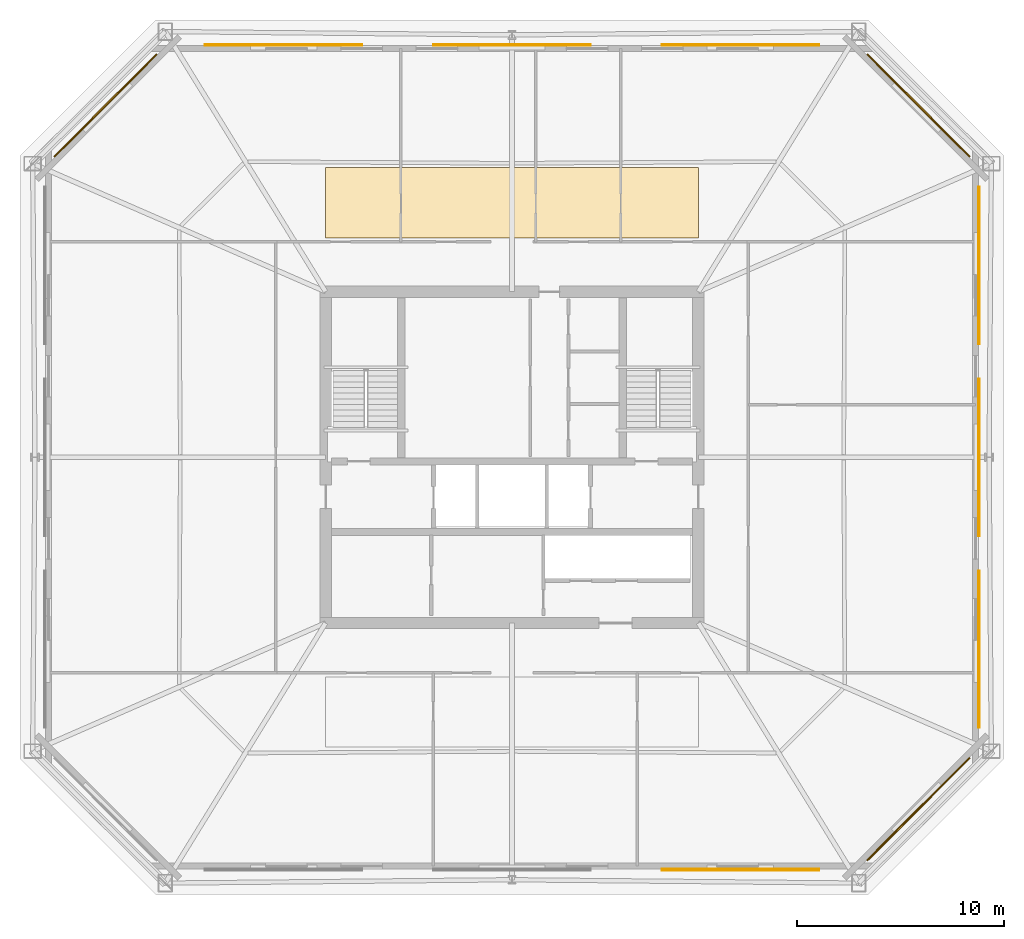
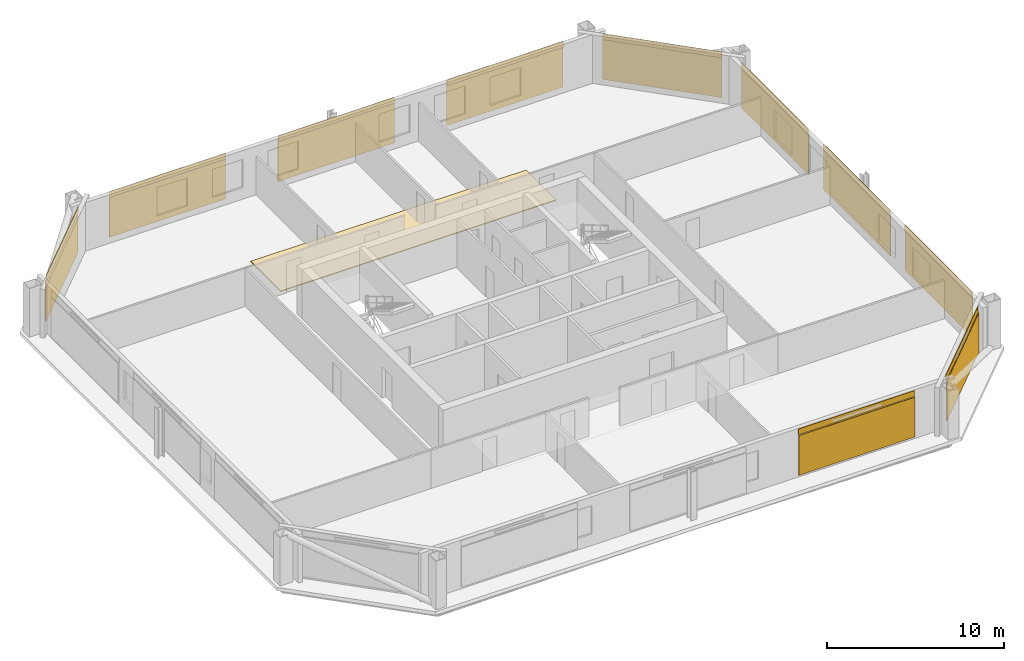
# One storey, part 6 of 6: 11 coverings, 10 shading devices.
"""IFC4 building model written with IfcOpenShell, lengths in metres."""

from ifc_helpers import new_model, si_unit, direction, frame, origin, origin_2d, place, context, subcontext, project, spatial, polyline, rectangle, outline, extrude, material, layer, layer_set, type_object, element, save


model = new_model("IFC4")

# Units and contexts
model_context = context("Model", 3, precision=1e-05, world=origin(), true_north=direction((0.0, 1.0)))
body_context = subcontext(model_context, "Body", "Model", "MODEL_VIEW")
ifc_project = project(units=[si_unit("LENGTHUNIT", "METRE"), si_unit("AREAUNIT", "SQUARE_METRE"), si_unit("VOLUMEUNIT", "CUBIC_METRE"), si_unit("PLANEANGLEUNIT", "RADIAN"), si_unit("MASSUNIT", "GRAM", prefix="KILO")], contexts=[model_context])

# Site, building, storey
site_placement = place(None, origin())
site = spatial("IfcSite", under=ifc_project, at=site_placement, CompositionType="ELEMENT")
building_placement = place(site_placement, origin())
building = spatial("IfcBuilding", under=site, at=building_placement, Name="Caelvoria Tower", CompositionType="ELEMENT")
storey_placement = place(building_placement, frame((0.0, 0.0, 180.60009765625)))
storey = spatial("IfcBuildingStorey", under=building, at=storey_placement, Name="L47", CompositionType="ELEMENT", Elevation=180.60009765625)

# Coverings
ifc_material_1 = material(Name="Perforated Architectural Bronze Cladding Screen", Category="bronze")
ifc_layer_1 = layer(ifc_material_1, 0.0400390625, Name="Perforated Architectural Bronze Cladding Screen")
ifc_layer_set_1 = layer_set([ifc_layer_1], Name="Perforated Bronze Louvre Cladding Band 40 - Perforated Architectural Bronze Cladding Screen")
covering_type_1 = type_object("IfcCoveringType", Name="Perforated Bronze Louvre Cladding Band 40", PredefinedType="CLADDING", material=ifc_layer_set_1)
covering_1_placement = place(storey_placement, frame((57.026611328125, 12.10791015625, 2.93994140625), z_axis=(0.0, 0.0, 1.0), x_axis=(1.0, 0.0, 0.0)))
element("IfcCovering", 1, at=covering_1_placement, inside=storey, type_object=covering_type_1, Name="Perforated Bronze Screen Band L47-E0-02", PredefinedType="CLADDING", context=body_context, shape_type="SweptSolid", body=[
    extrude(rectangle(XDim=7.60009765625, YDim=0.0400390625, at=origin_2d()), origin(), (0.0, 0.0, 1.0), 0.39990234375),
])
covering_2_placement = place(storey_placement, frame((65.61181640625, 15.0283203125, 2.93994140625), z_axis=(0.0, 0.0, 1.0), x_axis=(0.707106781187, 0.707106781187, 0.0)))
element("IfcCovering", 2, at=covering_2_placement, inside=storey, type_object=covering_type_1, Name="Perforated Bronze Screen Band L47-E1-00", PredefinedType="CLADDING", context=body_context, shape_type="SweptSolid", body=[
    extrude(rectangle(XDim=7.00244140625, YDim=0.0400390625, at=origin_2d()), origin(), (0.0, 0.0, 1.0), 0.39990234375),
])
for number, where, z_axis, x_axis, name in (
    (3, (68.531982421875, 22.7333984375, 2.93994140625), (0.0, 0.0, 1.0), (0.0, 1.0, 0.0), "Perforated Bronze Screen Band L47-E2-00"),
    (4, (68.531982421875, 32.0, 2.93994140625), (0.0, 0.0, 1.0), (0.0, 1.0, 0.0), "Perforated Bronze Screen Band L47-E2-01"),
    (5, (68.531982421875, 41.2666015625, 2.93994140625), (0.0, 0.0, 1.0), (0.0, 1.0, 0.0), "Perforated Bronze Screen Band L47-E2-02"),
):
    element("IfcCovering", number, at=place(storey_placement, frame(where, z_axis=z_axis, x_axis=x_axis)), inside=storey, type_object=covering_type_1, Name=name, PredefinedType="CLADDING", context=body_context, shape_type="SweptSolid", body=[
        extrude(rectangle(XDim=7.60009765625, YDim=0.0400390625, at=origin_2d()), origin(), (0.0, 0.0, 1.0), 0.39990234375),
    ])
covering_3_placement = place(storey_placement, frame((65.61181640625, 48.9716796875, 2.93994140625), z_axis=(0.0, 0.0, 1.0), x_axis=(-0.707106781187, 0.707106781187, 0.0)))
element("IfcCovering", 6, at=covering_3_placement, inside=storey, type_object=covering_type_1, Name="Perforated Bronze Screen Band L47-E3-00", PredefinedType="CLADDING", context=body_context, shape_type="SweptSolid", body=[
    extrude(rectangle(XDim=7.00244140625, YDim=0.0400390625, at=origin_2d()), origin(), (0.0, 0.0, 1.0), 0.39990234375),
])
for number, where, z_axis, x_axis, name in (
    (7, (57.026611328125, 51.89208984375, 2.93994140625), (0.0, 0.0, 1.0), (-1.0, 0.0, 0.0), "Perforated Bronze Screen Band L47-E4-00"),
    (8, (46.0, 51.89208984375, 2.93994140625), (0.0, 0.0, 1.0), (-1.0, 0.0, 0.0), "Perforated Bronze Screen Band L47-E4-01"),
    (9, (34.973388671875, 51.89208984375, 2.93994140625), (0.0, 0.0, 1.0), (-1.0, 0.0, 0.0), "Perforated Bronze Screen Band L47-E4-02"),
):
    element("IfcCovering", number, at=place(storey_placement, frame(where, z_axis=z_axis, x_axis=x_axis)), inside=storey, type_object=covering_type_1, Name=name, PredefinedType="CLADDING", context=body_context, shape_type="SweptSolid", body=[
        extrude(rectangle(XDim=7.60009765625, YDim=0.0400390625, at=origin_2d()), origin(), (0.0, 0.0, 1.0), 0.39990234375),
    ])
covering_4_placement = place(storey_placement, frame((26.38818359375, 48.9716796875, 2.93994140625), z_axis=(0.0, 0.0, 1.0), x_axis=(-0.707106781187, -0.707106781187, 0.0)))
element("IfcCovering", 10, at=covering_4_placement, inside=storey, type_object=covering_type_1, Name="Perforated Bronze Screen Band L47-E5-00", PredefinedType="CLADDING", context=body_context, shape_type="SweptSolid", body=[
    extrude(rectangle(XDim=7.00244140625, YDim=0.0400390625, at=origin_2d()), origin(), (0.0, 0.0, 1.0), 0.39990234375),
])

# Shading devices
ifc_material_2 = material(Name="Perforated Architectural Bronze Alloy Panel", Category="bronze")
ifc_layer_2 = layer(ifc_material_2, 0.044921875, Name="Perforated Architectural Bronze Alloy Panel")
ifc_layer_set_2 = layer_set([ifc_layer_2], Name="Perforated Bronze Solar Screen Panel SCREEN - Perforated Architectural Bronze Alloy Panel")
shading_device_type = type_object("IfcShadingDeviceType", Name="Perforated Bronze Solar Screen Panel SCREEN", PredefinedType="USERDEFINED", material=ifc_layer_set_2)
shading_device_1_placement = place(storey_placement, frame((57.026611328125, 12.06494140625, 0.159912109375), z_axis=(0.0, 0.0, 1.0), x_axis=(1.0, 0.0, 0.0)))
element("IfcShadingDevice", 11, at=shading_device_1_placement, inside=storey, type_object=shading_device_type, Name="Perforated Bronze Solar Screen L47-E0-02", ObjectType="SCREEN", PredefinedType="USERDEFINED", context=body_context, shape_type="SweptSolid", body=[
    extrude(rectangle(XDim=7.60009765625, YDim=0.044921875, at=origin_2d()), origin(), (0.0, 0.0, 1.0), 2.75),
])
shading_device_2_placement = place(storey_placement, frame((65.64208984375, 14.997802734375, 0.159912109375), z_axis=(0.0, 0.0, 1.0), x_axis=(0.707106781187, 0.707106781187, 0.0)))
element("IfcShadingDevice", 12, at=shading_device_2_placement, inside=storey, type_object=shading_device_type, Name="Perforated Bronze Solar Screen L47-E1-00", ObjectType="SCREEN", PredefinedType="USERDEFINED", context=body_context, shape_type="SweptSolid", body=[
    extrude(rectangle(XDim=7.00244140625, YDim=0.044921875, at=origin_2d()), origin(), (0.0, 0.0, 1.0), 2.75),
])
for number, where, z_axis, x_axis, name in (
    (13, (68.574951171875, 22.7333984375, 0.159912109375), (0.0, 0.0, 1.0), (0.0, 1.0, 0.0), "Perforated Bronze Solar Screen L47-E2-00"),
    (14, (68.574951171875, 32.0, 0.159912109375), (0.0, 0.0, 1.0), (0.0, 1.0, 0.0), "Perforated Bronze Solar Screen L47-E2-01"),
    (15, (68.574951171875, 41.2666015625, 0.159912109375), (0.0, 0.0, 1.0), (0.0, 1.0, 0.0), "Perforated Bronze Solar Screen L47-E2-02"),
):
    element("IfcShadingDevice", number, at=place(storey_placement, frame(where, z_axis=z_axis, x_axis=x_axis)), inside=storey, type_object=shading_device_type, Name=name, ObjectType="SCREEN", PredefinedType="USERDEFINED", context=body_context, shape_type="SweptSolid", body=[
        extrude(rectangle(XDim=7.60009765625, YDim=0.044921875, at=origin_2d()), origin(), (0.0, 0.0, 1.0), 2.75),
    ])
shading_device_3_placement = place(storey_placement, frame((65.64208984375, 49.002197265625, 0.159912109375), z_axis=(0.0, 0.0, 1.0), x_axis=(-0.707106781187, 0.707106781187, 0.0)))
element("IfcShadingDevice", 16, at=shading_device_3_placement, inside=storey, type_object=shading_device_type, Name="Perforated Bronze Solar Screen L47-E3-00", ObjectType="SCREEN", PredefinedType="USERDEFINED", context=body_context, shape_type="SweptSolid", body=[
    extrude(rectangle(XDim=7.00244140625, YDim=0.044921875, at=origin_2d()), origin(), (0.0, 0.0, 1.0), 2.75),
])
for number, where, z_axis, x_axis, name in (
    (17, (57.026611328125, 51.93505859375, 0.159912109375), (0.0, 0.0, 1.0), (-1.0, 0.0, 0.0), "Perforated Bronze Solar Screen L47-E4-00"),
    (18, (46.0, 51.93505859375, 0.159912109375), (0.0, 0.0, 1.0), (-1.0, 0.0, 0.0), "Perforated Bronze Solar Screen L47-E4-01"),
    (19, (34.973388671875, 51.93505859375, 0.159912109375), (0.0, 0.0, 1.0), (-1.0, 0.0, 0.0), "Perforated Bronze Solar Screen L47-E4-02"),
):
    element("IfcShadingDevice", number, at=place(storey_placement, frame(where, z_axis=z_axis, x_axis=x_axis)), inside=storey, type_object=shading_device_type, Name=name, ObjectType="SCREEN", PredefinedType="USERDEFINED", context=body_context, shape_type="SweptSolid", body=[
        extrude(rectangle(XDim=7.60009765625, YDim=0.044921875, at=origin_2d()), origin(), (0.0, 0.0, 1.0), 2.75),
    ])
shading_device_4_placement = place(storey_placement, frame((26.35791015625, 49.002197265625, 0.159912109375), z_axis=(0.0, 0.0, 1.0), x_axis=(-0.707106781187, -0.707106781187, 0.0)))
element("IfcShadingDevice", 20, at=shading_device_4_placement, inside=storey, type_object=shading_device_type, Name="Perforated Bronze Solar Screen L47-E5-00", ObjectType="SCREEN", PredefinedType="USERDEFINED", context=body_context, shape_type="SweptSolid", body=[
    extrude(rectangle(XDim=7.00244140625, YDim=0.044921875, at=origin_2d()), origin(), (0.0, 0.0, 1.0), 2.75),
])

# Covering
ifc_material_3 = material(Name="Calcium-Sulphate Raised Floor Tile", Category="gypsum")
ifc_layer_3 = layer(ifc_material_3, 0.06005859375, Name="Calcium-Sulphate Raised Floor Tile")
ifc_layer_set_3 = layer_set([ifc_layer_3], Name="Raised Access Office Floor System 120 - Calcium-Sulphate Raised Floor Tile")
covering_type_2 = type_object("IfcCoveringType", Name="Raised Access Office Floor System 120", PredefinedType="FLOORING", material=ifc_layer_set_3)
covering_5_placement = place(storey_placement, origin())
element("IfcCovering", 21, at=covering_5_placement, inside=storey, type_object=covering_type_2, Name="Raised Access Flooring L47", PredefinedType="FLOORING", context=body_context, shape_type="SweptSolid", body=[
    extrude(outline(polyline([(37.0, 42.60009765625), (55.0, 42.60009765625), (55.0, 46.0), (37.0, 46.0), (37.0, 42.60009765625)])), origin(), (0.0, 0.0, 1.0), 0.059814453125),
])

save(model, "model.ifc")
